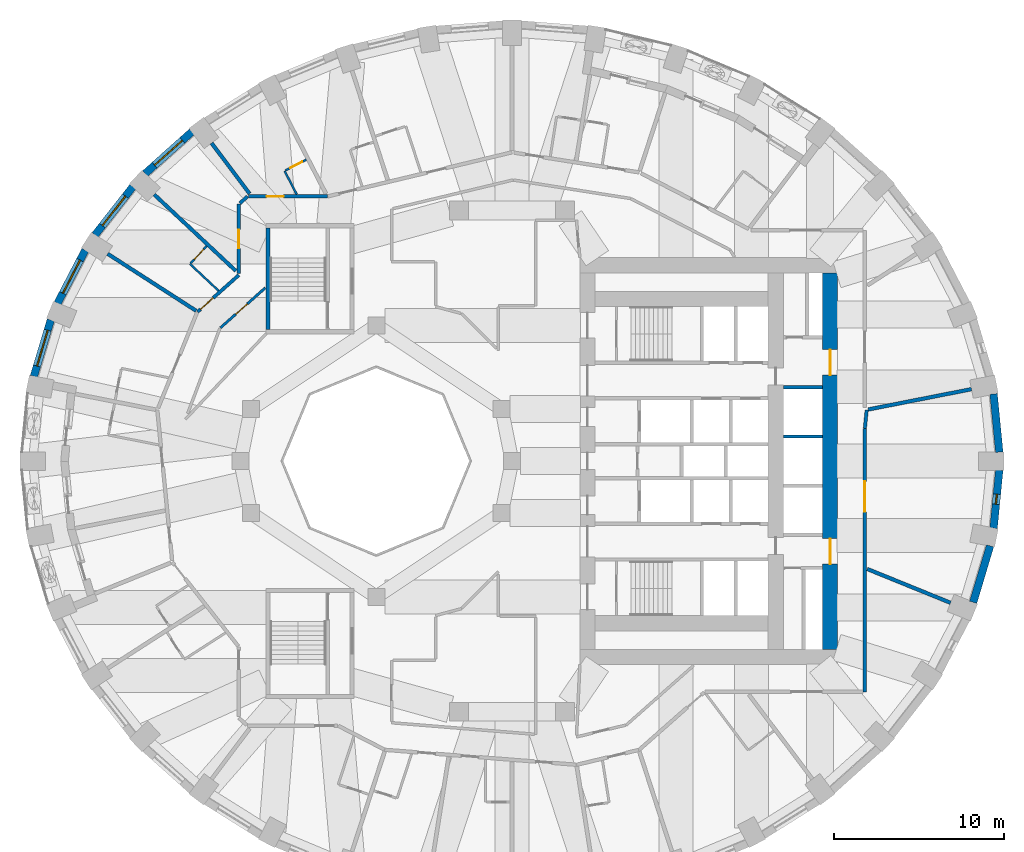
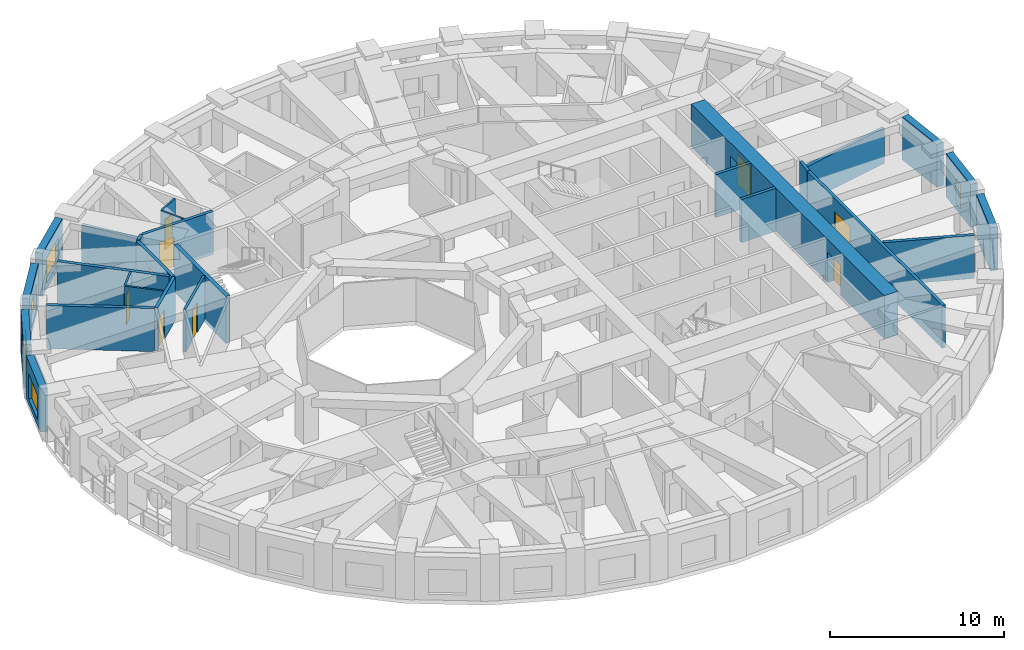
# One storey, part 7 of 13: 27 walls, 9 doors, 5 windows, 14 openings.
"""IFC4 building model written with IfcOpenShell, lengths in metres."""

from ifc_helpers import new_model, si_unit, direction, frame, frame_2d, origin, place, context, subcontext, project, spatial, rectangle, extrude, material, layer, layer_set, type_object, element, fill, save


model = new_model("IFC4")

# Units and contexts
model_context = context("Model", 3, precision=1e-05, world=origin(), true_north=direction((0.0, 1.0)))
body_context = subcontext(model_context, "Body", "Model", "MODEL_VIEW")
ifc_project = project(units=[si_unit("LENGTHUNIT", "METRE"), si_unit("AREAUNIT", "SQUARE_METRE"), si_unit("VOLUMEUNIT", "CUBIC_METRE"), si_unit("PLANEANGLEUNIT", "RADIAN"), si_unit("MASSUNIT", "GRAM", prefix="KILO")], contexts=[model_context])

# Site, building, storey
site_placement = place(None, origin())
site = spatial("IfcSite", under=ifc_project, at=site_placement, CompositionType="ELEMENT")
building_placement = place(site_placement, origin())
building = spatial("IfcBuilding", under=site, at=building_placement, Name="Taillehof Tower", CompositionType="ELEMENT")
storey_placement = place(building_placement, frame((0.0, 0.0, 61.300048828125)))
storey = spatial("IfcBuildingStorey", under=building, at=storey_placement, Name="L16", CompositionType="ELEMENT", Elevation=61.300048828125)

# Wall
ifc_material_1 = material(Name="Brick masonry", Category="masonry")
ifc_layer_1 = layer(ifc_material_1, 0.449951171875)
ifc_layer_set_1 = layer_set([ifc_layer_1], Name="Brick infill wall 450")
wall_type_1 = type_object("IfcWallType", Name="Brick infill wall 450", PredefinedType="SOLIDWALL", material=ifc_layer_set_1)
wall_1_placement = place(storey_placement, frame((28.721923828125, 0.530029296875, 0.0), z_axis=(0.0, 0.0, 1.0), x_axis=(-0.097389581596, 0.995246336038, 0.0)))
element("IfcWall", 1, at=wall_1_placement, inside=storey, type_object=wall_type_1, Name="Brick wall L16 bay 1", PredefinedType="SOLIDWALL", context=body_context, shape_type="SweptSolid", body=[
    extrude(rectangle(XDim=3.44189453125, YDim=0.449951171875, at=frame_2d((1.720947265625, 0.0))), origin(), (0.0, 0.0, 1.0), 3.02001953125),
])

# Wall, opening, window
wall_2_placement = place(storey_placement, frame((-18.87060546875, 19.406982421875, 0.0), z_axis=(0.0, 0.0, 1.0), x_axis=(-0.745526233716, -0.66647628228, 0.0)))
wall_2 = element("IfcWall", 2, at=wall_2_placement, inside=storey, type_object=wall_type_1, Name="Brick wall L16 bay 14", PredefinedType="SOLIDWALL", context=body_context, shape_type="SweptSolid", body=[
    extrude(rectangle(XDim=3.69677734375, YDim=0.449951171875, at=frame_2d((1.848388671875, 0.0))), origin(), (0.0, 0.0, 1.0), 3.02001953125),
])
opening_1_placement = place(wall_2_placement, frame((0.74853515625, 0.0, 0.39990234375)))
opening_1 = element("IfcOpeningElement", 3, at=opening_1_placement, cuts=wall_2, Name="Opening W1", PredefinedType="OPENING", context=body_context, shape_type="SweptSolid", body=[
    extrude(rectangle(XDim=2.199951171875, YDim=1.75, at=frame_2d((1.10009765625, 0.875))), frame((0.0, 0.23486328125, 0.0), z_axis=(0.0, -1.0, 0.0), x_axis=(1.0, 0.0, 0.0)), (0.0, 0.0, 1.0), 0.469970703125),
])
ifc_material_2 = material(Name="Aluminium window frame with clear double glazing", Category="aluminium")
window_type_1 = type_object("IfcWindowType", Name="Deep-set window 2200x1750", PartitioningType="SINGLE_PANEL", PredefinedType="WINDOW", material=ifc_material_2)
window_1_placement = place(opening_1_placement, origin())
window_1 = element("IfcWindow", 4, at=window_1_placement, inside=storey, type_object=window_type_1, Name="W1", OverallHeight=1.75, OverallWidth=2.199951171875, PartitioningType="SINGLE_PANEL", PredefinedType="WINDOW", context=body_context, shape_type="SweptSolid", body=[
    extrude(rectangle(XDim=2.199951171875, YDim=1.75, at=frame_2d((1.10009765625, 0.875))), frame((0.0, 0.034912109375, 0.0), z_axis=(0.0, -1.0, 0.0), x_axis=(1.0, 0.0, 0.0)), (0.0, 0.0, 1.0), 0.06005859375),
])
fill(opening_1, window_1)

wall_3_placement = place(storey_placement, frame((-22.3515625, 16.169677734375, 0.0), z_axis=(0.0, 0.0, 1.0), x_axis=(-0.616661975264, -0.787228053529, 0.0)))
wall_3 = element("IfcWall", 5, at=wall_3_placement, inside=storey, type_object=wall_type_1, Name="Brick wall L16 bay 15", PredefinedType="SOLIDWALL", context=body_context, shape_type="SweptSolid", body=[
    extrude(rectangle(XDim=3.60986328125, YDim=0.449951171875, at=frame_2d((1.804931640625, 0.0))), origin(), (0.0, 0.0, 1.0), 3.02001953125),
])
opening_2_placement = place(wall_3_placement, frame((0.704833984375, 0.0, 0.39990234375)))
opening_2 = element("IfcOpeningElement", 6, at=opening_2_placement, cuts=wall_3, Name="Opening W1", PredefinedType="OPENING", context=body_context, shape_type="SweptSolid", body=[
    extrude(rectangle(XDim=2.199951171875, YDim=1.75, at=frame_2d((1.10009765625, 0.875))), frame((0.0, 0.23486328125, 0.0), z_axis=(0.0, -1.0, 0.0), x_axis=(1.0, 0.0, 0.0)), (0.0, 0.0, 1.0), 0.469970703125),
])
window_2_placement = place(opening_2_placement, origin())
window_2 = element("IfcWindow", 7, at=window_2_placement, inside=storey, type_object=window_type_1, Name="W1", OverallHeight=1.75, OverallWidth=2.199951171875, PartitioningType="SINGLE_PANEL", PredefinedType="WINDOW", context=body_context, shape_type="SweptSolid", body=[
    extrude(rectangle(XDim=2.199951171875, YDim=1.75, at=frame_2d((1.10009765625, 0.875))), frame((0.0, 0.034912109375, 0.0), z_axis=(0.0, -1.0, 0.0), x_axis=(1.0, 0.0, 0.0)), (0.0, 0.0, 1.0), 0.06005859375),
])
fill(opening_2, window_2)

wall_4_placement = place(storey_placement, frame((-25.152099609375, 12.436767578125, 0.0), z_axis=(0.0, 0.0, 1.0), x_axis=(-0.462492775226, -0.886623050041, 0.0)))
wall_4 = element("IfcWall", 8, at=wall_4_placement, inside=storey, type_object=wall_type_1, Name="Brick wall L16 bay 16", PredefinedType="SOLIDWALL", context=body_context, shape_type="SweptSolid", body=[
    extrude(rectangle(XDim=3.531982421875, YDim=0.449951171875, at=frame_2d((1.76611328125, 0.0))), origin(), (0.0, 0.0, 1.0), 3.02001953125),
])
opening_3_placement = place(wall_4_placement, frame((0.666015625, 0.0, 0.39990234375)))
opening_3 = element("IfcOpeningElement", 9, at=opening_3_placement, cuts=wall_4, Name="Opening W1", PredefinedType="OPENING", context=body_context, shape_type="SweptSolid", body=[
    extrude(rectangle(XDim=2.199951171875, YDim=1.75, at=frame_2d((1.10009765625, 0.875))), frame((0.0, 0.23486328125, 0.0), z_axis=(0.0, -1.0, 0.0), x_axis=(1.0, 0.0, 0.0)), (0.0, 0.0, 1.0), 0.469970703125),
])
window_3_placement = place(opening_3_placement, origin())
window_3 = element("IfcWindow", 10, at=window_3_placement, inside=storey, type_object=window_type_1, Name="W1", OverallHeight=1.75, OverallWidth=2.199951171875, PartitioningType="SINGLE_PANEL", PredefinedType="WINDOW", context=body_context, shape_type="SweptSolid", body=[
    extrude(rectangle(XDim=2.199951171875, YDim=1.75, at=frame_2d((1.10009765625, 0.875))), frame((0.0, 0.034912109375, 0.0), z_axis=(0.0, -1.0, 0.0), x_axis=(1.0, 0.0, 0.0)), (0.0, 0.0, 1.0), 0.06005859375),
])
fill(opening_3, window_3)

wall_5_placement = place(storey_placement, frame((-27.184814453125, 8.322998046875, 0.0), z_axis=(0.0, 0.0, 1.0), x_axis=(-0.287064133733, -0.957911364963, 0.0)))
wall_5 = element("IfcWall", 11, at=wall_5_placement, inside=storey, type_object=wall_type_1, Name="Brick wall L16 bay 17", PredefinedType="SOLIDWALL", context=body_context, shape_type="SweptSolid", body=[
    extrude(rectangle(XDim=3.473388671875, YDim=0.449951171875, at=frame_2d((1.73681640625, 0.0))), origin(), (0.0, 0.0, 1.0), 3.02001953125),
])
opening_4_placement = place(wall_5_placement, frame((0.63671875, 0.0, 0.39990234375)))
opening_4 = element("IfcOpeningElement", 12, at=opening_4_placement, cuts=wall_5, Name="Opening W1", PredefinedType="OPENING", context=body_context, shape_type="SweptSolid", body=[
    extrude(rectangle(XDim=2.199951171875, YDim=1.75, at=frame_2d((1.10009765625, 0.875))), frame((0.0, 0.23486328125, 0.0), z_axis=(0.0, -1.0, 0.0), x_axis=(1.0, 0.0, 0.0)), (0.0, 0.0, 1.0), 0.469970703125),
])
window_4_placement = place(opening_4_placement, origin())
window_4 = element("IfcWindow", 13, at=window_4_placement, inside=storey, type_object=window_type_1, Name="W1", OverallHeight=1.75, OverallWidth=2.199951171875, PartitioningType="SINGLE_PANEL", PredefinedType="WINDOW", context=body_context, shape_type="SweptSolid", body=[
    extrude(rectangle(XDim=2.199951171875, YDim=1.75, at=frame_2d((1.10009765625, 0.875))), frame((0.0, 0.034912109375, 0.0), z_axis=(0.0, -1.0, 0.0), x_axis=(1.0, 0.0, 0.0)), (0.0, 0.0, 1.0), 0.06005859375),
])
fill(opening_4, window_4)

# Wall
wall_6_placement = place(storey_placement, frame((27.184814453125, -8.322998046875, 0.0), z_axis=(0.0, 0.0, 1.0), x_axis=(0.287064133733, 0.957911364963, 0.0)))
element("IfcWall", 14, at=wall_6_placement, inside=storey, type_object=wall_type_1, Name="Brick wall L16 bay 35", PredefinedType="SOLIDWALL", context=body_context, shape_type="SweptSolid", body=[
    extrude(rectangle(XDim=3.473388671875, YDim=0.449951171875, at=frame_2d((1.73681640625, 0.0))), origin(), (0.0, 0.0, 1.0), 3.02001953125),
])

# Wall, opening, window
wall_7_placement = place(storey_placement, frame((28.38671875, -3.95556640625, 0.0), z_axis=(0.0, 0.0, 1.0), x_axis=(0.097389581596, 0.995246336038, 0.0)))
wall_7 = element("IfcWall", 15, at=wall_7_placement, inside=storey, type_object=wall_type_1, Name="Brick wall L16 bay 36", PredefinedType="SOLIDWALL", context=body_context, shape_type="SweptSolid", body=[
    extrude(rectangle(XDim=3.44189453125, YDim=0.449951171875, at=frame_2d((1.720947265625, 0.0))), origin(), (0.0, 0.0, 1.0), 3.02001953125),
])
opening_5_placement = place(wall_7_placement, frame((1.4208984375, 0.0, 0.39990234375)))
opening_5 = element("IfcOpeningElement", 16, at=opening_5_placement, cuts=wall_7, Name="Opening W6", PredefinedType="OPENING", context=body_context, shape_type="SweptSolid", body=[
    extrude(rectangle(XDim=0.60009765625, YDim=1.75, at=frame_2d((0.300048828125, 0.875))), frame((0.0, 0.23486328125, 0.0), z_axis=(0.0, -1.0, 0.0), x_axis=(1.0, 0.0, 0.0)), (0.0, 0.0, 1.0), 0.469970703125),
])
ifc_material_3 = material(Name="Aluminium window frame with clear double glazing", Category="aluminium")
window_type_2 = type_object("IfcWindowType", Name="Slot window 600x1750", PartitioningType="SINGLE_PANEL", PredefinedType="WINDOW", material=ifc_material_3)
window_5_placement = place(opening_5_placement, origin())
window_5 = element("IfcWindow", 17, at=window_5_placement, inside=storey, type_object=window_type_2, Name="W6", OverallHeight=1.75, OverallWidth=0.60009765625, PartitioningType="SINGLE_PANEL", PredefinedType="WINDOW", context=body_context, shape_type="SweptSolid", body=[
    extrude(rectangle(XDim=0.60009765625, YDim=1.75, at=frame_2d((0.300048828125, 0.875))), frame((0.0, 0.034912109375, 0.0), z_axis=(0.0, -1.0, 0.0), x_axis=(1.0, 0.0, 0.0)), (0.0, 0.0, 1.0), 0.06005859375),
])
fill(opening_5, window_5)

# Wall
ifc_material_4 = material(Name="Gypsum board on steel studs, two layers each side", Category="steel")
ifc_layer_2 = layer(ifc_material_4, 0.199951171875)
ifc_layer_set_2 = layer_set([ifc_layer_2], Name="Compartment wall corridor 200")
wall_type_2 = type_object("IfcWallType", Name="Compartment wall corridor 200", PredefinedType="PARTITIONING", material=ifc_layer_set_2)
wall_8_placement = place(storey_placement, frame((20.906005859375, 3.009521484375, 0.0), z_axis=(0.0, 0.0, 1.0), x_axis=(-0.09782971129, -0.995203169001, 0.0)))
element("IfcWall", 18, at=wall_8_placement, inside=storey, type_object=wall_type_2, Name="Compartment wall", PredefinedType="PARTITIONING", context=body_context, shape_type="SweptSolid", body=[
    extrude(rectangle(XDim=1.0830078125, YDim=0.199951171875, at=frame_2d((0.54150390625, 0.0))), origin(), (0.0, 0.0, 1.0), 3.02001953125),
])

# Wall, opening, door
wall_9_placement = place(storey_placement, frame((20.800048828125, 1.91162109375, 0.0), z_axis=(0.0, 0.0, 1.0), x_axis=(0.0, -1.0, 0.0)))
wall_9 = element("IfcWall", 19, at=wall_9_placement, inside=storey, type_object=wall_type_2, Name="Compartment wall", PredefinedType="PARTITIONING", context=body_context, shape_type="SweptSolid", body=[
    extrude(rectangle(XDim=15.51171875, YDim=0.199951171875, at=frame_2d((7.755859375, 0.0))), origin(), (0.0, 0.0, 1.0), 3.02001953125),
])
opening_6_placement = place(wall_9_placement, frame((3.109619140625, 0.0, 0.0)))
opening_6 = element("IfcOpeningElement", 20, at=opening_6_placement, cuts=wall_9, Name="Opening D1676", PredefinedType="OPENING", context=body_context, shape_type="SweptSolid", body=[
    extrude(rectangle(XDim=1.800048828125, YDim=2.10009765625, at=frame_2d((0.89990234375, 1.050048828125))), frame((0.0, 0.10986328125, 0.0), z_axis=(0.0, -1.0, 0.0), x_axis=(1.0, 0.0, 0.0)), (0.0, 0.0, 1.0), 0.219970703125),
])
ifc_material_5 = material(Name="Timber door leaf in steel frame", Category="steel")
door_type_1 = type_object("IfcDoorType", Name="Lounge and meeting room double door EI 30 1800 x 2100", OperationType="SINGLE_SWING_LEFT", PredefinedType="DOOR", material=ifc_material_5)
door_1_placement = place(opening_6_placement, origin())
door_1 = element("IfcDoor", 21, at=door_1_placement, inside=storey, type_object=door_type_1, Name="D1676", OperationType="DOUBLE_DOOR_SINGLE_SWING", OverallHeight=2.10009765625, OverallWidth=1.800048828125, PredefinedType="DOOR", context=body_context, shape_type="SweptSolid", body=[
    extrude(rectangle(XDim=1.800048828125, YDim=2.10009765625, at=frame_2d((0.89990234375, 1.050048828125))), frame((0.0, 0.02490234375, 0.0), z_axis=(0.0, -1.0, 0.0), x_axis=(1.0, 0.0, 0.0)), (0.0, 0.0, 1.0), 0.050048828125),
])
fill(opening_6, door_1)

wall_10_placement = place(storey_placement, frame((-18.527099609375, 8.8037109375, 0.0), z_axis=(0.0, 0.0, 1.0), x_axis=(0.746493000154, 0.665393267716, 0.0)))
wall_10 = element("IfcWall", 22, at=wall_10_placement, inside=storey, type_object=wall_type_2, Name="Compartment wall", PredefinedType="PARTITIONING", context=body_context, shape_type="SweptSolid", body=[
    extrude(rectangle(XDim=3.251220703125, YDim=0.199951171875, at=frame_2d((1.62548828125, 0.0))), origin(), (0.0, 0.0, 1.0), 3.02001953125),
])
opening_7_placement = place(wall_10_placement, frame((0.219970703125, 0.0, 0.0)))
opening_7 = element("IfcOpeningElement", 23, at=opening_7_placement, cuts=wall_10, Name="Opening D1653", PredefinedType="OPENING", context=body_context, shape_type="SweptSolid", body=[
    extrude(rectangle(XDim=1.0, YDim=2.10009765625, at=frame_2d((0.5, 1.050048828125))), frame((0.0, 0.10986328125, 0.0), z_axis=(0.0, -1.0, 0.0), x_axis=(1.0, 0.0, 0.0)), (0.0, 0.0, 1.0), 0.219970703125),
])
ifc_material_6 = material(Name="Timber door leaf in steel frame", Category="steel")
door_type_2 = type_object("IfcDoorType", Name="Guest room door EI 30 1000 x 2100", OperationType="SINGLE_SWING_LEFT", PredefinedType="DOOR", material=ifc_material_6)
door_2_placement = place(opening_7_placement, origin())
door_2 = element("IfcDoor", 24, at=door_2_placement, inside=storey, type_object=door_type_2, Name="D1653", OperationType="SINGLE_SWING_LEFT", OverallHeight=2.10009765625, OverallWidth=1.0, PredefinedType="DOOR", context=body_context, shape_type="SweptSolid", body=[
    extrude(rectangle(XDim=1.0, YDim=2.10009765625, at=frame_2d((0.5, 1.050048828125))), frame((0.0, 0.02490234375, 0.0), z_axis=(0.0, -1.0, 0.0), x_axis=(1.0, 0.0, 0.0)), (0.0, 0.0, 1.0), 0.050048828125),
])
fill(opening_7, door_2)

wall_11_placement = place(storey_placement, frame((-16.10009765625, 11.047119140625, 0.0), z_axis=(0.0, 0.0, 1.0), x_axis=(0.0, 1.0, 0.0)))
wall_11 = element("IfcWall", 25, at=wall_11_placement, inside=storey, type_object=wall_type_2, Name="Compartment wall", PredefinedType="PARTITIONING", context=body_context, shape_type="SweptSolid", body=[
    extrude(rectangle(XDim=4.096923828125, YDim=0.199951171875, at=frame_2d((2.04833984375, 0.0))), origin(), (0.0, 0.0, 1.0), 3.02001953125),
])
opening_8_placement = place(wall_11_placement, frame((1.49853515625, 0.0, 0.0)))
opening_8 = element("IfcOpeningElement", 26, at=opening_8_placement, cuts=wall_11, Name="Opening D1652", PredefinedType="OPENING", context=body_context, shape_type="SweptSolid", body=[
    extrude(rectangle(XDim=1.10009765625, YDim=2.10009765625, at=frame_2d((0.550048828125, 1.050048828125))), frame((0.0, 0.10986328125, 0.0), z_axis=(0.0, -1.0, 0.0), x_axis=(1.0, 0.0, 0.0)), (0.0, 0.0, 1.0), 0.219970703125),
])
ifc_material_7 = material(Name="Timber door leaf in steel frame", Category="steel")
door_type_3 = type_object("IfcDoorType", Name="Suite entrance door EI 30 1100 x 2100", OperationType="SINGLE_SWING_LEFT", PredefinedType="DOOR", material=ifc_material_7)
door_3_placement = place(opening_8_placement, origin())
door_3 = element("IfcDoor", 27, at=door_3_placement, inside=storey, type_object=door_type_3, Name="D1652", OperationType="SINGLE_SWING_LEFT", OverallHeight=2.10009765625, OverallWidth=1.10009765625, PredefinedType="DOOR", context=body_context, shape_type="SweptSolid", body=[
    extrude(rectangle(XDim=1.10009765625, YDim=2.10009765625, at=frame_2d((0.550048828125, 1.050048828125))), frame((0.0, 0.02490234375, 0.0), z_axis=(0.0, -1.0, 0.0), x_axis=(1.0, 0.0, 0.0)), (0.0, 0.0, 1.0), 0.050048828125),
])
fill(opening_8, door_3)

# Wall
wall_12_placement = place(storey_placement, frame((-16.04052734375, 15.19775390625, 0.0), z_axis=(0.0, 0.0, 1.0), x_axis=(0.744722115519, 0.667374685359, 0.0)))
element("IfcWall", 28, at=wall_12_placement, inside=storey, type_object=wall_type_2, Name="Compartment wall", PredefinedType="PARTITIONING", context=body_context, shape_type="SweptSolid", body=[
    extrude(rectangle(XDim=0.602783203125, YDim=0.199951171875, at=frame_2d((0.30126953125, 0.0))), origin(), (0.0, 0.0, 1.0), 3.02001953125),
])

# Wall, opening, door
wall_13_placement = place(storey_placement, frame((-15.531494140625, 15.60009765625, 0.0), z_axis=(0.0, 0.0, 1.0), x_axis=(1.0, 0.0, 0.0)))
wall_13 = element("IfcWall", 29, at=wall_13_placement, inside=storey, type_object=wall_type_2, Name="Compartment wall", PredefinedType="PARTITIONING", context=body_context, shape_type="SweptSolid", body=[
    extrude(rectangle(XDim=4.660400390625, YDim=0.199951171875, at=frame_2d((2.330078125, 0.0))), origin(), (0.0, 0.0, 1.0), 3.02001953125),
])
opening_9_placement = place(wall_13_placement, frame((1.07421875, 0.0, 0.0)))
opening_9 = element("IfcOpeningElement", 30, at=opening_9_placement, cuts=wall_13, Name="Opening D1650", PredefinedType="OPENING", context=body_context, shape_type="SweptSolid", body=[
    extrude(rectangle(XDim=1.0, YDim=2.10009765625, at=frame_2d((0.5, 1.050048828125))), frame((0.0, 0.10986328125, 0.0), z_axis=(0.0, -1.0, 0.0), x_axis=(1.0, 0.0, 0.0)), (0.0, 0.0, 1.0), 0.219970703125),
])
door_4_placement = place(opening_9_placement, origin())
door_4 = element("IfcDoor", 31, at=door_4_placement, inside=storey, type_object=door_type_2, Name="D1650", OperationType="SINGLE_SWING_RIGHT", OverallHeight=2.10009765625, OverallWidth=1.0, PredefinedType="DOOR", context=body_context, shape_type="SweptSolid", body=[
    extrude(rectangle(XDim=1.0, YDim=2.10009765625, at=frame_2d((0.5, 1.050048828125))), frame((0.0, 0.02490234375, 0.0), z_axis=(0.0, -1.0, 0.0), x_axis=(1.0, 0.0, 0.0)), (0.0, 0.0, 1.0), 0.050048828125),
])
fill(opening_9, door_4)

# Walls
ifc_material_8 = material(Name="Gypsum board on double steel studs with mineral wool", Category="steel")
ifc_layer_3 = layer(ifc_material_8, 0.219970703125)
ifc_layer_set_3 = layer_set([ifc_layer_3], Name="Compartment wall guest room 220")
wall_type_3 = type_object("IfcWallType", Name="Compartment wall guest room 220", PredefinedType="PARTITIONING", material=ifc_layer_set_3)
wall_14_placement = place(storey_placement, frame((27.0849609375, 4.239990234375, 0.0), z_axis=(0.0, 0.0, 1.0), x_axis=(-0.981208260902, -0.192951674616, 0.0)))
element("IfcWall", 32, at=wall_14_placement, inside=storey, type_object=wall_type_3, Name="Compartment wall", PredefinedType="PARTITIONING", context=body_context, shape_type="SweptSolid", body=[
    extrude(rectangle(XDim=6.203857421875, YDim=0.219970703125, at=frame_2d((3.10205078125, 0.0))), origin(), (0.0, 0.0, 1.0), 2.469970703125),
])
wall_15_placement = place(storey_placement, frame((-17.707763671875, 18.7431640625, 0.0), z_axis=(0.0, 0.0, 1.0), x_axis=(0.601172757903, -0.799119086967, 0.0)))
element("IfcWall", 33, at=wall_15_placement, inside=storey, type_object=wall_type_3, Name="Compartment wall", PredefinedType="PARTITIONING", context=body_context, shape_type="SweptSolid", body=[
    extrude(rectangle(XDim=3.728515625, YDim=0.219970703125, at=frame_2d((1.8642578125, 0.0))), origin(), (0.0, 0.0, 1.0), 2.570068359375),
])
wall_16_placement = place(storey_placement, frame((-21.09326171875, 15.7177734375, 0.0), z_axis=(0.0, 0.0, 1.0), x_axis=(0.73009284205, -0.683347965525, 0.0)))
element("IfcWall", 34, at=wall_16_placement, inside=storey, type_object=wall_type_3, Name="Compartment wall", PredefinedType="PARTITIONING", context=body_context, shape_type="SweptSolid", body=[
    extrude(rectangle(XDim=6.6015625, YDim=0.219970703125, at=frame_2d((3.30078125, 0.0))), origin(), (0.0, 0.0, 1.0), 3.02001953125),
])
wall_17_placement = place(storey_placement, frame((-23.834716796875, 12.218994140625, 0.0), z_axis=(0.0, 0.0, 1.0), x_axis=(0.840743714791, -0.541433288633, 0.0)))
element("IfcWall", 35, at=wall_17_placement, inside=storey, type_object=wall_type_3, Name="Compartment wall", PredefinedType="PARTITIONING", context=body_context, shape_type="SweptSolid", body=[
    extrude(rectangle(XDim=6.207275390625, YDim=0.219970703125, at=frame_2d((3.103515625, 0.0))), origin(), (0.0, 0.0, 1.0), 3.02001953125),
])
wall_18_placement = place(storey_placement, frame((25.851318359375, -8.35400390625, 0.0), z_axis=(0.0, 0.0, 1.0), x_axis=(-0.926546814299, 0.376179479653, 0.0)))
element("IfcWall", 36, at=wall_18_placement, inside=storey, type_object=wall_type_3, Name="Compartment wall", PredefinedType="PARTITIONING", context=body_context, shape_type="SweptSolid", body=[
    extrude(rectangle(XDim=5.3037109375, YDim=0.219970703125, at=frame_2d((2.65185546875, 0.0))), origin(), (0.0, 0.0, 1.0), 3.02001953125),
])

# Wall, opening, door
ifc_material_9 = material(Name="Gypsum board on steel studs, two layers each side", Category="steel")
ifc_layer_4 = layer(ifc_material_9, 0.14990234375)
ifc_layer_set_4 = layer_set([ifc_layer_4], Name="Compartment wall service room 150")
wall_type_4 = type_object("IfcWallType", Name="Compartment wall service room 150", PredefinedType="PARTITIONING", material=ifc_layer_set_4)
wall_19_placement = place(storey_placement, frame((-17.185302734375, 7.8564453125, 0.0), z_axis=(0.0, 0.0, 1.0), x_axis=(0.746480516634, 0.665407272493, 0.0)))
wall_19 = element("IfcWall", 37, at=wall_19_placement, inside=storey, type_object=wall_type_4, Name="Compartment wall", PredefinedType="PARTITIONING", context=body_context, shape_type="SweptSolid", body=[
    extrude(rectangle(XDim=3.541259765625, YDim=0.14990234375, at=frame_2d((1.7705078125, 0.0))), origin(), (0.0, 0.0, 1.0), 3.02001953125),
])
opening_10_placement = place(wall_19_placement, frame((1.220703125, 0.0, 0.0)))
opening_10 = element("IfcOpeningElement", 38, at=opening_10_placement, cuts=wall_19, Name="Opening D1680", PredefinedType="OPENING", context=body_context, shape_type="SweptSolid", body=[
    extrude(rectangle(XDim=0.89990234375, YDim=2.10009765625, at=frame_2d((0.449951171875, 1.050048828125))), frame((0.0, 0.0849609375, 0.0), z_axis=(0.0, -1.0, 0.0), x_axis=(1.0, 0.0, 0.0)), (0.0, 0.0, 1.0), 0.169921875),
])
ifc_material_10 = material(Name="Timber door leaf in steel frame", Category="steel")
door_type_4 = type_object("IfcDoorType", Name="Service room door EI 30 900 x 2100", OperationType="SINGLE_SWING_LEFT", PredefinedType="DOOR", material=ifc_material_10)
door_5_placement = place(opening_10_placement, origin())
door_5 = element("IfcDoor", 39, at=door_5_placement, inside=storey, type_object=door_type_4, Name="D1680", OperationType="SINGLE_SWING_RIGHT", OverallHeight=2.10009765625, OverallWidth=0.89990234375, PredefinedType="DOOR", context=body_context, shape_type="SweptSolid", body=[
    extrude(rectangle(XDim=0.89990234375, YDim=2.10009765625, at=frame_2d((0.449951171875, 1.050048828125))), frame((0.0, 0.02490234375, 0.0), z_axis=(0.0, -1.0, 0.0), x_axis=(1.0, 0.0, 0.0)), (0.0, 0.0, 1.0), 0.050048828125),
])
fill(opening_10, door_5)

# Wall, openings, doors
ifc_material_11 = material(Name="Concrete C80/95", Category="concrete")
ifc_layer_5 = layer(ifc_material_11, 0.89990234375)
ifc_layer_set_5 = layer_set([ifc_layer_5], Name="Core wall C80/95 900")
wall_type_5 = type_object("IfcWallType", Name="Core wall C80/95 900", PredefinedType="SHEAR", material=ifc_layer_set_5)
wall_20_placement = place(storey_placement, frame((18.75, -11.10009765625, 0.0), z_axis=(0.0, 0.0, 1.0), x_axis=(0.0, 1.0, 0.0)))
wall_20 = element("IfcWall", 40, at=wall_20_placement, inside=storey, type_object=wall_type_5, Name="Core wall CW02", PredefinedType="SHEAR", context=body_context, shape_type="SweptSolid", body=[
    extrude(rectangle(XDim=22.2001953125, YDim=0.89990234375, at=frame_2d((11.10009765625, 0.0))), origin(), (0.0, 0.0, 1.0), 3.02001953125),
])
opening_11_placement = place(wall_20_placement, frame((16.175048828125, 0.0, 0.0)))
opening_11 = element("IfcOpeningElement", 41, at=opening_11_placement, cuts=wall_20, Name="Opening D1608", PredefinedType="OPENING", context=body_context, shape_type="SweptSolid", body=[
    extrude(rectangle(XDim=1.5, YDim=2.10009765625, at=frame_2d((0.75, 1.050048828125))), frame((0.0, 0.4599609375, 0.0), z_axis=(0.0, -1.0, 0.0), x_axis=(1.0, 0.0, 0.0)), (0.0, 0.0, 1.0), 0.919921875),
])
opening_12_placement = place(wall_20_placement, frame((5.02490234375, 0.0, 0.0)))
opening_12 = element("IfcOpeningElement", 42, at=opening_12_placement, cuts=wall_20, Name="Opening D1609", PredefinedType="OPENING", context=body_context, shape_type="SweptSolid", body=[
    extrude(rectangle(XDim=1.5, YDim=2.10009765625, at=frame_2d((0.75, 1.050048828125))), frame((0.0, 0.4599609375, 0.0), z_axis=(0.0, -1.0, 0.0), x_axis=(1.0, 0.0, 0.0)), (0.0, 0.0, 1.0), 0.919921875),
])
ifc_material_12 = material(Name="Steel-faced fire door", Category="steel")
door_type_5 = type_object("IfcDoorType", Name="Lift lobby east door 1500x2100", OperationType="DOUBLE_DOOR_SINGLE_SWING", PredefinedType="DOOR", material=ifc_material_12)
door_6_placement = place(opening_11_placement, origin())
door_6 = element("IfcDoor", 43, at=door_6_placement, inside=storey, type_object=door_type_5, Name="Lift lobby east door north", OperationType="DOUBLE_DOOR_SINGLE_SWING", OverallHeight=2.10009765625, OverallWidth=1.5, PredefinedType="DOOR", context=body_context, shape_type="SweptSolid", body=[
    extrude(rectangle(XDim=1.5, YDim=2.10009765625, at=frame_2d((0.75, 1.050048828125))), frame((0.0, 0.02490234375, 0.0), z_axis=(0.0, -1.0, 0.0), x_axis=(1.0, 0.0, 0.0)), (0.0, 0.0, 1.0), 0.050048828125),
])
fill(opening_11, door_6)
door_7_placement = place(opening_12_placement, origin())
door_7 = element("IfcDoor", 44, at=door_7_placement, inside=storey, type_object=door_type_5, Name="Lift lobby east door south", OperationType="DOUBLE_DOOR_SINGLE_SWING", OverallHeight=2.10009765625, OverallWidth=1.5, PredefinedType="DOOR", context=body_context, shape_type="SweptSolid", body=[
    extrude(rectangle(XDim=1.5, YDim=2.10009765625, at=frame_2d((0.75, 1.050048828125))), frame((0.0, 0.02490234375, 0.0), z_axis=(0.0, -1.0, 0.0), x_axis=(1.0, 0.0, 0.0)), (0.0, 0.0, 1.0), 0.050048828125),
])
fill(opening_12, door_7)

# Walls
ifc_material_13 = material(Name="Gypsum board on steel studs, moisture resistant", Category="steel")
ifc_layer_6 = layer(ifc_material_13, 0.1201171875)
ifc_layer_set_6 = layer_set([ifc_layer_6], Name="En-suite wall 120")
wall_type_6 = type_object("IfcWallType", Name="En-suite wall 120", PredefinedType="PARTITIONING", material=ifc_layer_set_6)
wall_21_placement = place(storey_placement, frame((-12.687255859375, 15.718017578125, 0.0), z_axis=(0.0, 0.0, 1.0), x_axis=(-0.459775159711, 0.888035361071, 0.0)))
element("IfcWall", 45, at=wall_21_placement, inside=storey, type_object=wall_type_6, Name="En-suite wall", PredefinedType="PARTITIONING", context=body_context, shape_type="SweptSolid", body=[
    extrude(rectangle(XDim=1.56494140625, YDim=0.1201171875, at=frame_2d((0.782470703125, 0.0))), origin(), (0.0, 0.0, 1.0), 3.02001953125),
])
wall_22_placement = place(storey_placement, frame((-17.292724609375, 10.037841796875, 0.0), z_axis=(0.0, 0.0, 1.0), x_axis=(-0.730059424734, 0.683383667026, 0.0)))
element("IfcWall", 46, at=wall_22_placement, inside=storey, type_object=wall_type_6, Name="En-suite wall", PredefinedType="PARTITIONING", context=body_context, shape_type="SweptSolid", body=[
    extrude(rectangle(XDim=2.317138671875, YDim=0.1201171875, at=frame_2d((1.15869140625, 0.0))), origin(), (0.0, 0.0, 1.0), 3.02001953125),
])

# Wall, opening, door
wall_23_placement = place(storey_placement, frame((-13.353271484375, 17.135498046875, 0.0), z_axis=(0.0, 0.0, 1.0), x_axis=(0.888075681402, 0.459697274413, 0.0)))
wall_23 = element("IfcWall", 47, at=wall_23_placement, inside=storey, type_object=wall_type_6, Name="En-suite wall", PredefinedType="PARTITIONING", context=body_context, shape_type="SweptSolid", body=[
    extrude(rectangle(XDim=1.3798828125, YDim=0.1201171875, at=frame_2d((0.68994140625, 0.0))), origin(), (0.0, 0.0, 1.0), 3.02001953125),
])
opening_13_placement = place(wall_23_placement, frame((0.314697265625, 0.0, 0.0)))
opening_13 = element("IfcOpeningElement", 48, at=opening_13_placement, cuts=wall_23, Name="Opening D1651", PredefinedType="OPENING", context=body_context, shape_type="SweptSolid", body=[
    extrude(rectangle(XDim=0.800048828125, YDim=2.10009765625, at=frame_2d((0.39990234375, 1.050048828125))), frame((0.0, 0.070068359375, 0.0), z_axis=(0.0, -1.0, 0.0), x_axis=(1.0, 0.0, 0.0)), (0.0, 0.0, 1.0), 0.14013671875),
])
ifc_material_14 = material(Name="Timber door leaf in steel frame", Category="steel")
door_type_6 = type_object("IfcDoorType", Name="En-suite door 800 x 2100", OperationType="SINGLE_SWING_LEFT", PredefinedType="DOOR", material=ifc_material_14)
door_8_placement = place(opening_13_placement, origin())
door_8 = element("IfcDoor", 49, at=door_8_placement, inside=storey, type_object=door_type_6, Name="D1651", OperationType="SINGLE_SWING_RIGHT", OverallHeight=2.10009765625, OverallWidth=0.800048828125, PredefinedType="DOOR", context=body_context, shape_type="SweptSolid", body=[
    extrude(rectangle(XDim=0.800048828125, YDim=2.10009765625, at=frame_2d((0.39990234375, 1.050048828125))), frame((0.0, 0.02490234375, 0.0), z_axis=(0.0, -1.0, 0.0), x_axis=(1.0, 0.0, 0.0)), (0.0, 0.0, 1.0), 0.050048828125),
])
fill(opening_13, door_8)

wall_24_placement = place(storey_placement, frame((-18.943359375, 11.665283203125, 0.0), z_axis=(0.0, 0.0, 1.0), x_axis=(0.683364094355, 0.730077745549, 0.0)))
wall_24 = element("IfcWall", 50, at=wall_24_placement, inside=storey, type_object=wall_type_6, Name="En-suite wall", PredefinedType="PARTITIONING", context=body_context, shape_type="SweptSolid", body=[
    extrude(rectangle(XDim=1.379638671875, YDim=0.1201171875, at=frame_2d((0.68994140625, 0.0))), origin(), (0.0, 0.0, 1.0), 3.02001953125),
])
opening_14_placement = place(wall_24_placement, frame((0.31494140625, 0.0, 0.0)))
opening_14 = element("IfcOpeningElement", 51, at=opening_14_placement, cuts=wall_24, Name="Opening D1654", PredefinedType="OPENING", context=body_context, shape_type="SweptSolid", body=[
    extrude(rectangle(XDim=0.800048828125, YDim=2.10009765625, at=frame_2d((0.39990234375, 1.050048828125))), frame((0.0, 0.070068359375, 0.0), z_axis=(0.0, -1.0, 0.0), x_axis=(1.0, 0.0, 0.0)), (0.0, 0.0, 1.0), 0.14013671875),
])
door_9_placement = place(opening_14_placement, origin())
door_9 = element("IfcDoor", 52, at=door_9_placement, inside=storey, type_object=door_type_6, Name="D1654", OperationType="SINGLE_SWING_LEFT", OverallHeight=2.10009765625, OverallWidth=0.800048828125, PredefinedType="DOOR", context=body_context, shape_type="SweptSolid", body=[
    extrude(rectangle(XDim=0.800048828125, YDim=2.10009765625, at=frame_2d((0.39990234375, 1.050048828125))), frame((0.0, 0.02490234375, 0.0), z_axis=(0.0, -1.0, 0.0), x_axis=(1.0, 0.0, 0.0)), (0.0, 0.0, 1.0), 0.050048828125),
])
fill(opening_14, door_9)

# Walls
ifc_material_15 = material(Name="Concrete C50/60", Category="concrete")
ifc_layer_7 = layer(ifc_material_15, 0.199951171875)
ifc_layer_set_7 = layer_set([ifc_layer_7], Name="Shaft wall C50/60 200")
wall_type_7 = type_object("IfcWallType", Name="Shaft wall C50/60 200", PredefinedType="SHEAR", material=ifc_layer_set_7)
for number, where, z_axis, x_axis, name in (
    (53, (16.0, 1.449951171875, 0.0), (0.0, 0.0, 1.0), (1.0, 0.0, 0.0), "Shaft wall SW"),
    (54, (16.0, 4.35009765625, 0.0), (0.0, 0.0, 1.0), (1.0, 0.0, 0.0), "Shaft wall SW"),
):
    element("IfcWall", number, at=place(storey_placement, frame(where, z_axis=z_axis, x_axis=x_axis)), inside=storey, type_object=wall_type_7, Name=name, PredefinedType="SHEAR", context=body_context, shape_type="SweptSolid", body=[
        extrude(rectangle(XDim=2.300048828125, YDim=0.199951171875, at=frame_2d((1.14990234375, 0.0))), origin(), (0.0, 0.0, 1.0), 3.02001953125),
    ])
ifc_material_16 = material(Name="Concrete C50/60", Category="concrete")
ifc_layer_8 = layer(ifc_material_16, 0.25)
ifc_layer_set_8 = layer_set([ifc_layer_8], Name="Stair wall C50/60 250")
wall_type_8 = type_object("IfcWallType", Name="Stair wall C50/60 250", PredefinedType="SHEAR", material=ifc_layer_set_8)
wall_25_placement = place(storey_placement, frame((-14.375, 7.75, -0.280029296875), z_axis=(0.0, 0.0, 1.0), x_axis=(0.0, 1.0, 0.0)))
element("IfcWall", 55, at=wall_25_placement, inside=storey, type_object=wall_type_8, Name="Stair wall SC", PredefinedType="SHEAR", context=body_context, shape_type="SweptSolid", body=[
    extrude(rectangle(XDim=6.0, YDim=0.25, at=frame_2d((3.0, 0.0))), origin(), (0.0, 0.0, 1.0), 3.300048828125),
])

save(model, "model.ifc")
